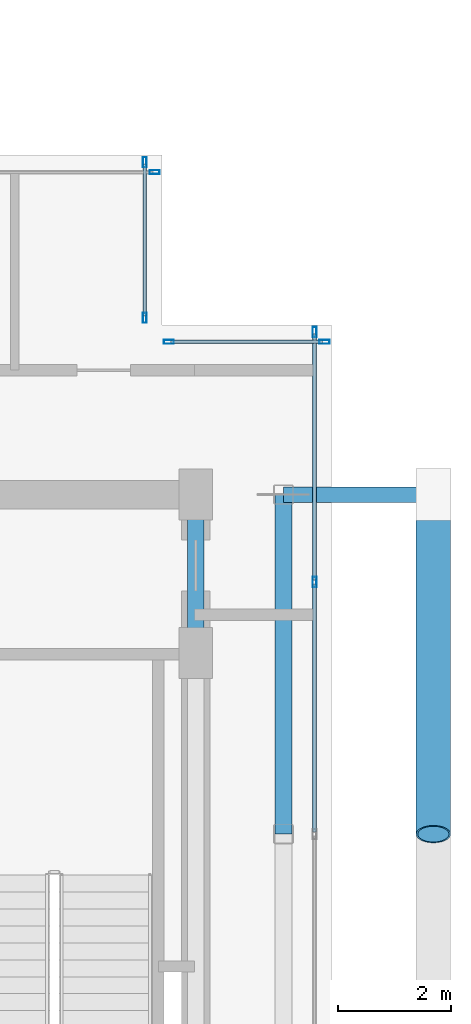
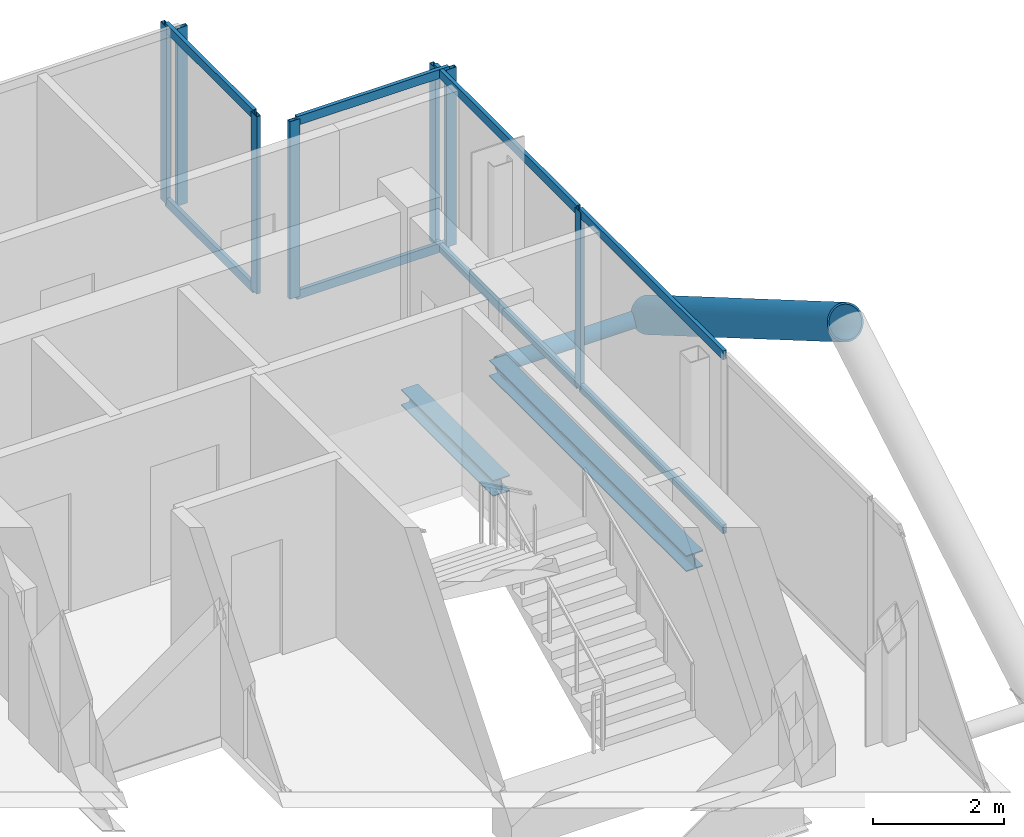
# One storey, part 13 of 19: 17 members, 2 beams, 4 elements without a shape of their own.
"""IFC4 building model written with IfcOpenShell, lengths in metres."""

from ifc_helpers import new_model, si_unit, direction, frame, origin, origin_2d, place, context, subcontext, project, spatial, hollow_rectangle, hollow_circle, i_section, extrude, material, layer, layer_set, material_profile, profile_set, type_object, element, aggregate, save


model = new_model("IFC4")

# Units and contexts
model_context = context("Model", 3, precision=1e-05, world=origin(), true_north=direction((0.0, 1.0)))
body_context = subcontext(model_context, "Body", "Model", "MODEL_VIEW")
ifc_project = project(units=[si_unit("LENGTHUNIT", "METRE"), si_unit("AREAUNIT", "SQUARE_METRE"), si_unit("VOLUMEUNIT", "CUBIC_METRE"), si_unit("PLANEANGLEUNIT", "RADIAN"), si_unit("MASSUNIT", "GRAM", prefix="KILO"), si_unit("THERMODYNAMICTEMPERATUREUNIT", "KELVIN"), si_unit("POWERUNIT", "WATT")], contexts=[model_context])

# Site, building, storey
site_placement = place(None, origin())
site = spatial("IfcSite", under=ifc_project, at=site_placement, CompositionType="ELEMENT")
building_placement = place(site_placement, origin())
building = spatial("IfcBuilding", under=site, at=building_placement, Name="Svarakhadi Broadcast Tower", CompositionType="ELEMENT")
storey_placement = place(building_placement, frame((0.0, 0.0, 271.199951171875)))
storey = spatial("IfcBuildingStorey", under=building, at=storey_placement, Name="L68", CompositionType="ELEMENT", Elevation=271.199951171875)

# Curtain wall, member
ifc_material_1 = material(Name="Anodised Bronze Aluminium AA 6063-T6", Category="aluminium")
ifc_layer = layer(ifc_material_1, 0.179931640625)
ifc_layer_set = layer_set([ifc_layer], Name="Anodised Bronze Aluminium AA 6063-T6")
curtain_wall_type = type_object("IfcCurtainWallType", Name="CW_Sys_05", PredefinedType="NOTDEFINED", material=ifc_layer_set)
curtain_wall_1_placement = place(storey_placement, origin())
curtain_wall_1 = element("IfcCurtainWall", 1, at=curtain_wall_1_placement, inside=storey, type_object=curtain_wall_type, Name="L68 Unitised Facade Curtain Wall 09", PredefinedType="NOTDEFINED")
ifc_material_profile_1 = material_profile(ifc_material_1, hollow_rectangle(XDim=0.070068359375, YDim=0.179931640625, WallThickness=0.005615234375, at=origin_2d()), Name="ALU MULLION 180x70x6")
ifc_profile_set_1 = profile_set([ifc_material_profile_1], Name="Anodised Bronze Aluminium AA 6063-T6")
member_type_1 = type_object("IfcMemberType", Name="CW_Sys_05_Mul", PredefinedType="MULLION", material=ifc_profile_set_1)
member_1_placement = place(storey_placement, frame((32.875, 23.699951171875, 0.0), z_axis=(0.0, 0.0, 1.0), x_axis=(0.0, 1.0, 0.0)))
member_1 = element("IfcMember", 2, at=member_1_placement, type_object=member_type_1, Name="CW-05 mullion 2", PredefinedType="MULLION", context=body_context, shape_type="SweptSolid", body=[
    extrude(hollow_rectangle(XDim=0.070068359375, YDim=0.179931640625, WallThickness=0.005615234375, at=origin_2d()), origin(), (0.0, 0.0, 1.0), 3.300048828125),
])
aggregate(curtain_wall_1, [member_1])

# Curtain wall, members
curtain_wall_2_placement = place(storey_placement, origin())
curtain_wall_2 = element("IfcCurtainWall", 3, at=curtain_wall_2_placement, inside=storey, type_object=curtain_wall_type, Name="L68 Unitised Facade Curtain Wall 10", PredefinedType="NOTDEFINED")
member_2_placement = place(storey_placement, frame((32.699951171875, 23.875, 0.0), z_axis=(0.0, 0.0, 1.0), x_axis=(1.0, 0.0, 0.0)))
member_2 = element("IfcMember", 4, at=member_2_placement, type_object=member_type_1, Name="CW-05 mullion 1", PredefinedType="MULLION", context=body_context, shape_type="SweptSolid", body=[
    extrude(hollow_rectangle(XDim=0.070068359375, YDim=0.179931640625, WallThickness=0.005615234375, at=origin_2d()), origin(), (0.0, 0.0, 1.0), 3.300048828125),
])
member_3_placement = place(storey_placement, frame((32.699951171875, 21.125, 0.0), z_axis=(0.0, 0.0, 1.0), x_axis=(1.0, 0.0, 0.0)))
member_3 = element("IfcMember", 5, at=member_3_placement, type_object=member_type_1, Name="CW-05 mullion 2", PredefinedType="MULLION", context=body_context, shape_type="SweptSolid", body=[
    extrude(hollow_rectangle(XDim=0.070068359375, YDim=0.179931640625, WallThickness=0.005615234375, at=origin_2d()), origin(), (0.0, 0.0, 1.0), 3.300048828125),
])

curtain_wall_3_placement = place(storey_placement, origin())
curtain_wall_3 = element("IfcCurtainWall", 6, at=curtain_wall_3_placement, inside=storey, type_object=curtain_wall_type, Name="L68 Unitised Facade Curtain Wall 11", PredefinedType="NOTDEFINED")
member_4_placement = place(storey_placement, frame((33.125, 20.699951171875, 0.0), z_axis=(0.0, 0.0, 1.0), x_axis=(0.0, 1.0, 0.0)))
member_4 = element("IfcMember", 7, at=member_4_placement, type_object=member_type_1, Name="CW-05 mullion 1", PredefinedType="MULLION", context=body_context, shape_type="SweptSolid", body=[
    extrude(hollow_rectangle(XDim=0.070068359375, YDim=0.179931640625, WallThickness=0.005615234375, at=origin_2d()), origin(), (0.0, 0.0, 1.0), 3.300048828125),
])
member_5_placement = place(storey_placement, frame((35.875, 20.699951171875, 0.0), z_axis=(0.0, 0.0, 1.0), x_axis=(0.0, 1.0, 0.0)))
member_5 = element("IfcMember", 8, at=member_5_placement, type_object=member_type_1, Name="CW-05 mullion 2", PredefinedType="MULLION", context=body_context, shape_type="SweptSolid", body=[
    extrude(hollow_rectangle(XDim=0.070068359375, YDim=0.179931640625, WallThickness=0.005615234375, at=origin_2d()), origin(), (0.0, 0.0, 1.0), 3.300048828125),
])

curtain_wall_4_placement = place(storey_placement, origin())
curtain_wall_4 = element("IfcCurtainWall", 9, at=curtain_wall_4_placement, inside=storey, type_object=curtain_wall_type, Name="L68 Unitised Facade Curtain Wall 12", PredefinedType="NOTDEFINED")
member_6_placement = place(storey_placement, frame((35.699951171875, 20.875, 0.0), z_axis=(0.0, 0.0, 1.0), x_axis=(1.0, 0.0, 0.0)))
member_6 = element("IfcMember", 10, at=member_6_placement, type_object=member_type_1, Name="CW-05 mullion 1", PredefinedType="MULLION", context=body_context, shape_type="SweptSolid", body=[
    extrude(hollow_rectangle(XDim=0.070068359375, YDim=0.179931640625, WallThickness=0.005615234375, at=origin_2d()), origin(), (0.0, 0.0, 1.0), 3.300048828125),
])
member_7_placement = place(storey_placement, frame((35.699951171875, 16.455078125, 0.0), z_axis=(0.0, 0.0, 1.0), x_axis=(1.0, 0.0, 0.0)))
member_7 = element("IfcMember", 11, at=member_7_placement, type_object=member_type_1, Name="CW-05 mullion 2", PredefinedType="MULLION", context=body_context, shape_type="SweptSolid", body=[
    extrude(hollow_rectangle(XDim=0.070068359375, YDim=0.179931640625, WallThickness=0.005615234375, at=origin_2d()), origin(), (0.0, 0.0, 1.0), 3.300048828125),
])

# Member
ifc_material_profile_2 = material_profile(ifc_material_1, hollow_rectangle(XDim=0.06494140625, YDim=0.1650390625, WallThickness=0.0048828125, at=origin_2d()), Name="ALU TRANSOM 165x65x5")
ifc_profile_set_2 = profile_set([ifc_material_profile_2], Name="Anodised Bronze Aluminium AA 6063-T6")
member_type_2 = type_object("IfcMemberType", Name="CW_Sys_05_Trn", PredefinedType="USERDEFINED", material=ifc_profile_set_2)
member_8_placement = place(storey_placement, frame((32.699951171875, 23.840087890625, 0.032470703125), z_axis=(0.0, -1.0, 0.0), x_axis=(1.0, 0.0, 0.0)))
member_8 = element("IfcMember", 12, at=member_8_placement, type_object=member_type_2, Name="CW-05 transom 1.1", ObjectType="TRANSOM", PredefinedType="USERDEFINED", context=body_context, shape_type="SweptSolid", body=[
    extrude(hollow_rectangle(XDim=0.06494140625, YDim=0.1650390625, WallThickness=0.0048828125, at=origin_2d()), origin(), (0.0, 0.0, 1.0), 2.68017578125),
])

member_9_placement = place(storey_placement, frame((32.699951171875, 23.840087890625, 3.267578125), z_axis=(0.0, -1.0, 0.0), x_axis=(1.0, 0.0, 0.0)))
member_9 = element("IfcMember", 13, at=member_9_placement, type_object=member_type_2, Name="CW-05 transom 1.2", ObjectType="TRANSOM", PredefinedType="USERDEFINED", context=body_context, shape_type="SweptSolid", body=[
    extrude(hollow_rectangle(XDim=0.06494140625, YDim=0.1650390625, WallThickness=0.0048828125, at=origin_2d()), origin(), (0.0, 0.0, 1.0), 2.68017578125),
])

aggregate(curtain_wall_2, [member_2, member_3, member_8, member_9])

member_10_placement = place(storey_placement, frame((33.159912109375, 20.699951171875, 0.032470703125), z_axis=(1.0, 0.0, 0.0), x_axis=(0.0, 1.0, 0.0)))
member_10 = element("IfcMember", 14, at=member_10_placement, type_object=member_type_2, Name="CW-05 transom 1.1", ObjectType="TRANSOM", PredefinedType="USERDEFINED", context=body_context, shape_type="SweptSolid", body=[
    extrude(hollow_rectangle(XDim=0.06494140625, YDim=0.1650390625, WallThickness=0.0048828125, at=origin_2d()), origin(), (0.0, 0.0, 1.0), 2.68017578125),
])

member_11_placement = place(storey_placement, frame((33.159912109375, 20.699951171875, 3.267578125), z_axis=(1.0, 0.0, 0.0), x_axis=(0.0, 1.0, 0.0)))
member_11 = element("IfcMember", 15, at=member_11_placement, type_object=member_type_2, Name="CW-05 transom 1.2", ObjectType="TRANSOM", PredefinedType="USERDEFINED", context=body_context, shape_type="SweptSolid", body=[
    extrude(hollow_rectangle(XDim=0.06494140625, YDim=0.1650390625, WallThickness=0.0048828125, at=origin_2d()), origin(), (0.0, 0.0, 1.0), 2.68017578125),
])

aggregate(curtain_wall_3, [member_4, member_5, member_10, member_11])

member_12_placement = place(storey_placement, frame((35.699951171875, 20.840087890625, 0.032470703125), z_axis=(0.0, -1.0, 0.0), x_axis=(1.0, 0.0, 0.0)))
member_12 = element("IfcMember", 16, at=member_12_placement, type_object=member_type_2, Name="CW-05 transom 1.1", ObjectType="TRANSOM", PredefinedType="USERDEFINED", context=body_context, shape_type="SweptSolid", body=[
    extrude(hollow_rectangle(XDim=0.06494140625, YDim=0.1650390625, WallThickness=0.0048828125, at=origin_2d()), origin(), (0.0, 0.0, 1.0), 4.35009765625),
])

member_13_placement = place(storey_placement, frame((35.699951171875, 20.840087890625, 3.267578125), z_axis=(0.0, -1.0, 0.0), x_axis=(1.0, 0.0, 0.0)))
member_13 = element("IfcMember", 17, at=member_13_placement, type_object=member_type_2, Name="CW-05 transom 1.2", ObjectType="TRANSOM", PredefinedType="USERDEFINED", context=body_context, shape_type="SweptSolid", body=[
    extrude(hollow_rectangle(XDim=0.06494140625, YDim=0.1650390625, WallThickness=0.0048828125, at=origin_2d()), origin(), (0.0, 0.0, 1.0), 4.35009765625),
])

member_14_placement = place(storey_placement, frame((35.699951171875, 16.419921875, 0.032470703125), z_axis=(0.0, -1.0, 0.0), x_axis=(1.0, 0.0, 0.0)))
member_14 = element("IfcMember", 18, at=member_14_placement, type_object=member_type_2, Name="CW-05 transom 2.1", ObjectType="TRANSOM", PredefinedType="USERDEFINED", context=body_context, shape_type="SweptSolid", body=[
    extrude(hollow_rectangle(XDim=0.06494140625, YDim=0.1650390625, WallThickness=0.0048828125, at=origin_2d()), origin(), (0.0, 0.0, 1.0), 4.385009765625),
])

member_15_placement = place(storey_placement, frame((35.699951171875, 16.419921875, 3.267578125), z_axis=(0.0, -1.0, 0.0), x_axis=(1.0, 0.0, 0.0)))
member_15 = element("IfcMember", 19, at=member_15_placement, type_object=member_type_2, Name="CW-05 transom 2.2", ObjectType="TRANSOM", PredefinedType="USERDEFINED", context=body_context, shape_type="SweptSolid", body=[
    extrude(hollow_rectangle(XDim=0.06494140625, YDim=0.1650390625, WallThickness=0.0048828125, at=origin_2d()), origin(), (0.0, 0.0, 1.0), 4.385009765625),
])

aggregate(curtain_wall_4, [member_6, member_7, member_12, member_13, member_14, member_15])

# Members
ifc_material_2 = material(Name="Steel S460ML (IS 2062 E450BR)", Category="steel")
ifc_material_profile_3 = material_profile(ifc_material_2, hollow_circle(Radius=0.304931640625, WallThickness=0.030029296875, at=origin_2d()), Name="CHS 610x30")
ifc_profile_set_3 = profile_set([ifc_material_profile_3], Name="Steel S460ML (IS 2062 E450BR)")
member_type_3 = type_object("IfcMemberType", Name="Exo_Brace_CHS610", PredefinedType="BRACE", material=ifc_profile_set_3)
member_16_placement = place(storey_placement, frame((37.800048828125, 18.0, -0.33642578125), z_axis=(0.0, -0.863778900898, 0.503871025524), x_axis=(1.0, 0.0, 0.0)))
element("IfcMember", 20, at=member_16_placement, inside=storey, type_object=member_type_3, Name="L68 Exposed Bronze Exoskeleton Diagonal E05", PredefinedType="BRACE", context=body_context, shape_type="SweptSolid", body=[
    extrude(hollow_circle(Radius=0.304931640625, WallThickness=0.030029296875, at=origin_2d()), origin(), (0.0, 0.0, 1.0), 6.9462890625),
])
ifc_material_profile_4 = material_profile(ifc_material_2, hollow_circle(Radius=0.136474609375, WallThickness=0.012451171875, at=origin_2d()), Name="CHS 273x12.5")
ifc_profile_set_4 = profile_set([ifc_material_profile_4], Name="Steel S460ML (IS 2062 E450BR)")
member_type_4 = type_object("IfcMemberType", Name="Exo_Radial_Strut_Z3", PredefinedType="STRUT", material=ifc_profile_set_4)
member_17_placement = place(storey_placement, frame((37.800048828125, 18.0, -0.33642578125), z_axis=(-1.0, 0.0, 0.0), x_axis=(0.0, -1.0, 0.0)))
element("IfcMember", 21, at=member_17_placement, inside=storey, type_object=member_type_4, Name="L68 Exoskeleton Radial Tie Strut E06", PredefinedType="STRUT", context=body_context, shape_type="SweptSolid", body=[
    extrude(hollow_circle(Radius=0.136474609375, WallThickness=0.012451171875, at=origin_2d()), origin(), (0.0, 0.0, 1.0), 2.650146484375),
])

# Beams
ifc_material_3 = material(Name="Steel S355J2 (IS 2062 E350C)", Category="steel")
ifc_material_profile_5 = material_profile(ifc_material_3, i_section(OverallWidth=0.300048828125, OverallDepth=0.300048828125, WebThickness=0.010986328125, FlangeThickness=0.01904296875, FilletRadius=0.027099609375, at=origin_2d()), Name="WPB 300x300x117")
ifc_profile_set_5 = profile_set([ifc_material_profile_5], Name="Steel S355J2 (IS 2062 E350C)")
beam_type = type_object("IfcBeamType", Name="Girder_WPB300", PredefinedType="USERDEFINED", material=ifc_profile_set_5)
beam_1_placement = place(storey_placement, frame((33.60009765625, 15.199951171875, -0.349853515625), z_axis=(0.0, 1.0, 0.0), x_axis=(-1.0, 0.0, 0.0)))
element("IfcBeam", 22, at=beam_1_placement, inside=storey, type_object=beam_type, Name="L68 Primary N-S Girder G044", ObjectType="GIRDER", PredefinedType="USERDEFINED", context=body_context, shape_type="SweptSolid", body=[
    extrude(i_section(OverallWidth=0.300048828125, OverallDepth=0.300048828125, WebThickness=0.010986328125, FlangeThickness=0.01904296875, FilletRadius=0.027099609375, at=origin_2d()), origin(), (0.0, 0.0, 1.0), 2.800048828125),
])
beam_2_placement = place(storey_placement, frame((35.14990234375, 12.0, -0.349853515625), z_axis=(0.0, 1.0, 0.0), x_axis=(-1.0, 0.0, 0.0)))
element("IfcBeam", 23, at=beam_2_placement, inside=storey, type_object=beam_type, Name="L68 Primary N-S Girder G046", ObjectType="GIRDER", PredefinedType="USERDEFINED", context=body_context, shape_type="SweptSolid", body=[
    extrude(i_section(OverallWidth=0.300048828125, OverallDepth=0.300048828125, WebThickness=0.010986328125, FlangeThickness=0.01904296875, FilletRadius=0.027099609375, at=origin_2d()), origin(), (0.0, 0.0, 1.0), 6.0),
])

save(model, "model.ifc")
